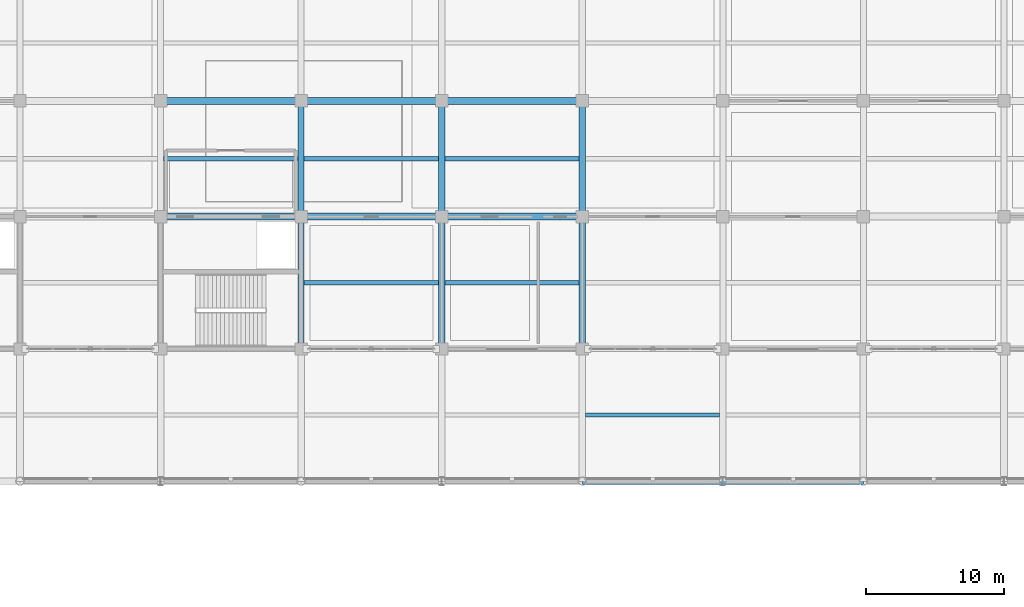
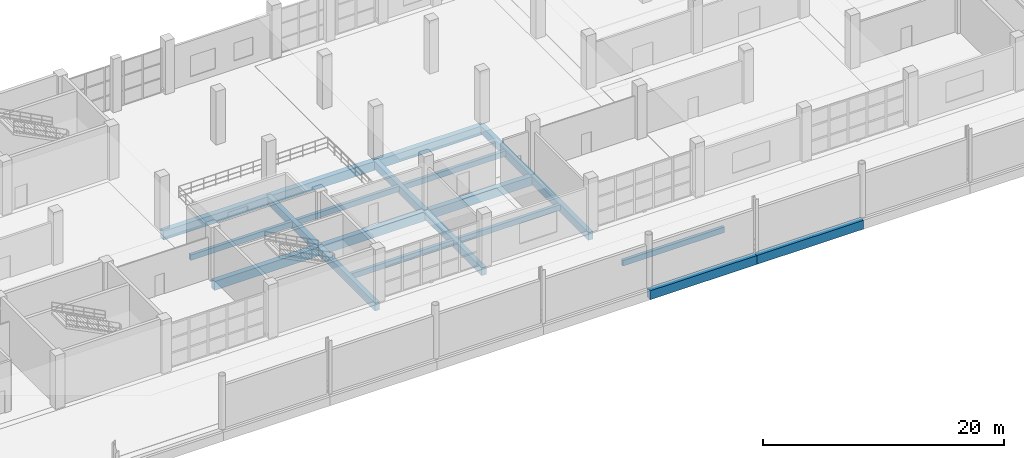
# One storey, part 39 of 175: 20 beams.
"""IFC4 building model written with IfcOpenShell, lengths in metres."""

from ifc_helpers import new_model, si_unit, direction, frame, origin, origin_2d, place, context, subcontext, project, spatial, rectangle, extrude, material, material_profile, profile_set, type_object, element, save


model = new_model("IFC4")

# Units and contexts
model_context = context("Model", 3, precision=1e-05, world=origin(), true_north=direction((0.0, 1.0)))
body_context = subcontext(model_context, "Body", "Model", "MODEL_VIEW")
ifc_project = project(units=[si_unit("LENGTHUNIT", "METRE"), si_unit("AREAUNIT", "SQUARE_METRE"), si_unit("VOLUMEUNIT", "CUBIC_METRE"), si_unit("PLANEANGLEUNIT", "RADIAN"), si_unit("MASSUNIT", "GRAM", prefix="KILO")], contexts=[model_context])

# Site, building, storey
site_placement = place(None, origin())
site = spatial("IfcSite", under=ifc_project, at=site_placement, CompositionType="ELEMENT")
building_placement = place(site_placement, origin())
building = spatial("IfcBuilding", under=site, at=building_placement, Name="Brelvane Convention Centre", CompositionType="ELEMENT")
storey_placement = place(building_placement, frame((0.0, 0.0, 5.39990234375)))
storey = spatial("IfcBuildingStorey", under=building, at=storey_placement, Name="L01", CompositionType="ELEMENT", Elevation=5.39990234375)

# Beams
ifc_material_1 = material(Name="Concrete M40", Category="concrete")
ifc_material_profile_1 = material_profile(ifc_material_1, rectangle(XDim=0.5, YDim=0.89990234375, at=origin_2d()), Name="RC 500x900")
ifc_profile_set_1 = profile_set([ifc_material_profile_1], Name="Concrete M40")
beam_type_1 = type_object("IfcBeamType", Name="RC Beam B-RC4 (RC 500x900)", PredefinedType="BEAM", material=ifc_profile_set_1)
for number, where, z_axis, x_axis, name in (
    (1, (30.60009765625, 118.800048828125, -0.77001953125), (1.0, 0.0, 0.0), (0.0, 1.0, 0.0), "L01 Beam 4-5/M"),
    (2, (30.60009765625, 127.199951171875, -0.77001953125), (1.0, 0.0, 0.0), (0.0, 1.0, 0.0), "L01 Beam 4-5/N"),
    (3, (40.800048828125, 118.800048828125, -0.77001953125), (1.0, 0.0, 0.0), (0.0, 1.0, 0.0), "L01 Beam 5-6/M"),
    (4, (40.800048828125, 127.199951171875, -0.77001953125), (1.0, 0.0, 0.0), (0.0, 1.0, 0.0), "L01 Beam 5-6/N"),
    (5, (51.0, 118.800048828125, -0.77001953125), (1.0, 0.0, 0.0), (0.0, 1.0, 0.0), "L01 Beam 6-7/M"),
    (6, (51.0, 127.199951171875, -0.77001953125), (1.0, 0.0, 0.0), (0.0, 1.0, 0.0), "L01 Beam 6-7/N"),
    (7, (61.199951171875, 99.60009765625, -0.77001953125), (1.0, 0.0, 0.0), (0.0, 1.0, 0.0), "L01 Beam 7-8/K"),
):
    element("IfcBeam", number, at=place(storey_placement, frame(where, z_axis=z_axis, x_axis=x_axis)), inside=storey, type_object=beam_type_1, Name=name, PredefinedType="BEAM", context=body_context, shape_type="SweptSolid", body=[
        extrude(rectangle(XDim=0.5, YDim=0.89990234375, at=origin_2d()), origin(), (0.0, 0.0, 1.0), 10.199951171875),
    ])
beam_1_placement = place(storey_placement, frame((71.39990234375, 99.60009765625, -0.77001953125), z_axis=(1.0, 0.0, 0.0), x_axis=(0.0, 1.0, 0.0)))
element("IfcBeam", 8, at=beam_1_placement, inside=storey, type_object=beam_type_1, Name="L01 Beam 8-9/K", PredefinedType="BEAM", context=body_context, shape_type="SweptSolid", body=[
    extrude(rectangle(XDim=0.5, YDim=0.89990234375, at=origin_2d()), origin(), (0.0, 0.0, 1.0), 10.2001953125),
])
ifc_material_2 = material(Name="Concrete M40", Category="concrete")
ifc_material_profile_2 = material_profile(ifc_material_2, rectangle(XDim=0.449951171875, YDim=0.800048828125, at=origin_2d()), Name="RC 450x800")
ifc_profile_set_2 = profile_set([ifc_material_profile_2], Name="Concrete M40")
beam_type_2 = type_object("IfcBeamType", Name="RC Beam B-RC5 (RC 450x800)", PredefinedType="BEAM", material=ifc_profile_set_2)
beam_2_placement = place(storey_placement, frame((40.800048828125, 109.199951171875, -0.719970703125), z_axis=(0.0, 1.0, 0.0), x_axis=(-1.0, 0.0, 0.0)))
element("IfcBeam", 9, at=beam_2_placement, inside=storey, type_object=beam_type_2, Name="L01 Girder 5/L-M", PredefinedType="BEAM", context=body_context, shape_type="SweptSolid", body=[
    extrude(rectangle(XDim=0.449951171875, YDim=0.800048828125, at=origin_2d()), origin(), (0.0, 0.0, 1.0), 9.60009765625),
])
beam_3_placement = place(storey_placement, frame((40.800048828125, 118.800048828125, -0.719970703125), z_axis=(0.0, 1.0, 0.0), x_axis=(-1.0, 0.0, 0.0)))
element("IfcBeam", 10, at=beam_3_placement, inside=storey, type_object=beam_type_2, Name="L01 Girder 5/M-N", PredefinedType="BEAM", context=body_context, shape_type="SweptSolid", body=[
    extrude(rectangle(XDim=0.449951171875, YDim=0.800048828125, at=origin_2d()), origin(), (0.0, 0.0, 1.0), 8.39990234375),
])
beam_4_placement = place(storey_placement, frame((51.0, 109.199951171875, -0.719970703125), z_axis=(0.0, 1.0, 0.0), x_axis=(-1.0, 0.0, 0.0)))
element("IfcBeam", 11, at=beam_4_placement, inside=storey, type_object=beam_type_2, Name="L01 Girder 6/L-M", PredefinedType="BEAM", context=body_context, shape_type="SweptSolid", body=[
    extrude(rectangle(XDim=0.449951171875, YDim=0.800048828125, at=origin_2d()), origin(), (0.0, 0.0, 1.0), 9.60009765625),
])
beam_5_placement = place(storey_placement, frame((51.0, 118.800048828125, -0.719970703125), z_axis=(0.0, 1.0, 0.0), x_axis=(-1.0, 0.0, 0.0)))
element("IfcBeam", 12, at=beam_5_placement, inside=storey, type_object=beam_type_2, Name="L01 Girder 6/M-N", PredefinedType="BEAM", context=body_context, shape_type="SweptSolid", body=[
    extrude(rectangle(XDim=0.449951171875, YDim=0.800048828125, at=origin_2d()), origin(), (0.0, 0.0, 1.0), 8.39990234375),
])
beam_6_placement = place(storey_placement, frame((61.199951171875, 109.199951171875, -0.719970703125), z_axis=(0.0, 1.0, 0.0), x_axis=(-1.0, 0.0, 0.0)))
element("IfcBeam", 13, at=beam_6_placement, inside=storey, type_object=beam_type_2, Name="L01 Girder 7/L-M", PredefinedType="BEAM", context=body_context, shape_type="SweptSolid", body=[
    extrude(rectangle(XDim=0.449951171875, YDim=0.800048828125, at=origin_2d()), origin(), (0.0, 0.0, 1.0), 9.60009765625),
])
beam_7_placement = place(storey_placement, frame((61.199951171875, 118.800048828125, -0.719970703125), z_axis=(0.0, 1.0, 0.0), x_axis=(-1.0, 0.0, 0.0)))
element("IfcBeam", 14, at=beam_7_placement, inside=storey, type_object=beam_type_2, Name="L01 Girder 7/M-N", PredefinedType="BEAM", context=body_context, shape_type="SweptSolid", body=[
    extrude(rectangle(XDim=0.449951171875, YDim=0.800048828125, at=origin_2d()), origin(), (0.0, 0.0, 1.0), 8.39990234375),
])
ifc_material_3 = material(Name="Concrete M40", Category="concrete")
ifc_material_profile_3 = material_profile(ifc_material_3, rectangle(XDim=0.300048828125, YDim=0.550048828125, at=origin_2d()), Name="RC 300x550")
ifc_profile_set_3 = profile_set([ifc_material_profile_3], Name="Concrete M40")
beam_type_3 = type_object("IfcBeamType", Name="RC Joist J-RC1 (RC 300x550)", PredefinedType="JOIST", material=ifc_profile_set_3)
for number, where, z_axis, x_axis, name in (
    (15, (30.824951171875, 123.0, -0.594970703125), (1.0, 0.0, 0.0), (0.0, 1.0, 0.0), "L01 Secondary Joist 4-5/MN"),
    (16, (41.02490234375, 114.0, -0.594970703125), (1.0, 0.0, 0.0), (0.0, 1.0, 0.0), "L01 Secondary Joist 5-6/LM"),
    (17, (41.02490234375, 123.0, -0.594970703125), (1.0, 0.0, 0.0), (0.0, 1.0, 0.0), "L01 Secondary Joist 5-6/MN"),
    (18, (51.22509765625, 114.0, -0.594970703125), (1.0, 0.0, 0.0), (0.0, 1.0, 0.0), "L01 Secondary Joist 6-7/LM"),
    (19, (51.22509765625, 123.0, -0.594970703125), (1.0, 0.0, 0.0), (0.0, 1.0, 0.0), "L01 Secondary Joist 6-7/MN"),
):
    element("IfcBeam", number, at=place(storey_placement, frame(where, z_axis=z_axis, x_axis=x_axis)), inside=storey, type_object=beam_type_3, Name=name, PredefinedType="JOIST", context=body_context, shape_type="SweptSolid", body=[
        extrude(rectangle(XDim=0.300048828125, YDim=0.550048828125, at=origin_2d()), origin(), (0.0, 0.0, 1.0), 9.75),
    ])
beam_8_placement = place(storey_placement, frame((61.43994140625, 104.39990234375, -0.594970703125), z_axis=(1.0, 0.0, 0.0), x_axis=(0.0, 1.0, 0.0)))
element("IfcBeam", 20, at=beam_8_placement, inside=storey, type_object=beam_type_3, Name="L01 Secondary Joist 7-8/KL", PredefinedType="JOIST", context=body_context, shape_type="SweptSolid", body=[
    extrude(rectangle(XDim=0.300048828125, YDim=0.550048828125, at=origin_2d()), origin(), (0.0, 0.0, 1.0), 9.719970703125),
])

save(model, "model.ifc")
